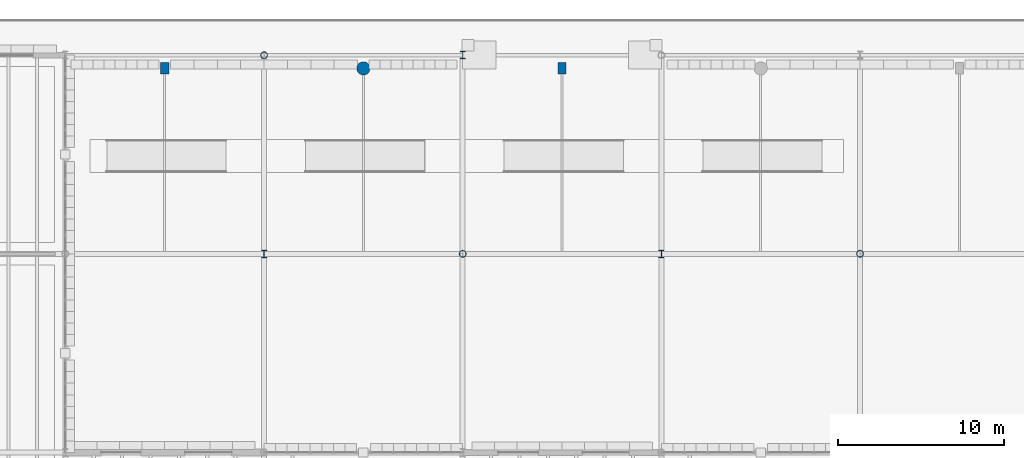
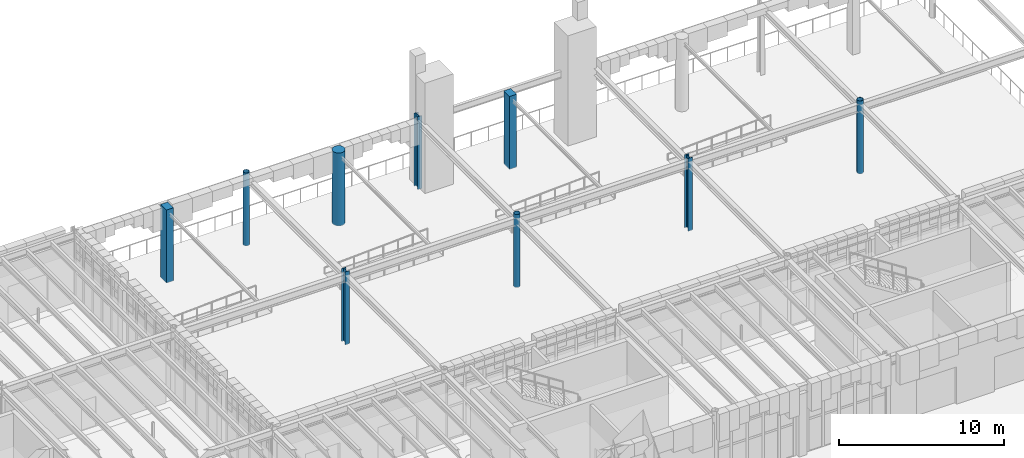
# One storey, part 10 of 103: 9 columns.
"""IFC4 building model written with IfcOpenShell, lengths in metres."""

from ifc_helpers import new_model, si_unit, direction, frame, origin, origin_2d, place, context, subcontext, project, spatial, rectangle, circle, hollow_circle, i_section, extrude, material, material_profile, profile_set, type_object, element, save


model = new_model("IFC4")

# Units and contexts
model_context = context("Model", 3, precision=1e-05, world=origin(), true_north=direction((0.0, 1.0)))
body_context = subcontext(model_context, "Body", "Model", "MODEL_VIEW")
ifc_project = project(units=[si_unit("LENGTHUNIT", "METRE"), si_unit("AREAUNIT", "SQUARE_METRE"), si_unit("VOLUMEUNIT", "CUBIC_METRE"), si_unit("PLANEANGLEUNIT", "RADIAN"), si_unit("MASSUNIT", "GRAM", prefix="KILO")], contexts=[model_context])

# Site, building, storey
site_placement = place(None, origin())
site = spatial("IfcSite", under=ifc_project, at=site_placement, CompositionType="ELEMENT")
building_placement = place(site_placement, origin())
building = spatial("IfcBuilding", under=site, at=building_placement, Name="Zlatogorsky Bluff Art Gallery", CompositionType="ELEMENT")
storey_placement = place(building_placement, origin())
storey = spatial("IfcBuildingStorey", under=building, at=storey_placement, Name="L00", CompositionType="ELEMENT", Elevation=0.0)

# Columns
ifc_material_1 = material(Name="Steel S355", Category="steel")
ifc_material_profile_1 = material_profile(ifc_material_1, i_section(OverallWidth=0.300048828125, OverallDepth=0.449951171875, WebThickness=0.013916015625, FlangeThickness=0.02587890625, FilletRadius=0.027099609375, at=origin_2d()), Name="HEB 450")
ifc_profile_set_1 = profile_set([ifc_material_profile_1], Name="Steel S355")
column_type_1 = type_object("IfcColumnType", Name="Column CL-03 HEB 450", PredefinedType="COLUMN", material=ifc_profile_set_1)
for number, where, z_axis, x_axis, name in (
    (1, (72.0, 108.0, 0.0), (0.0, 0.0, 1.0), (1.0, 0.0, 0.0), "Column CL-03 L00 G11"),
    (2, (84.0, 120.0, 0.0), (0.0, 0.0, 1.0), (1.0, 0.0, 0.0), "Column CL-03 L00 H12"),
    (3, (96.0, 108.0, 0.0), (0.0, 0.0, 1.0), (1.0, 0.0, 0.0), "Column CL-03 L00 J11"),
):
    element("IfcColumn", number, at=place(storey_placement, frame(where, z_axis=z_axis, x_axis=x_axis)), inside=storey, type_object=column_type_1, Name=name, PredefinedType="COLUMN", context=body_context, shape_type="SweptSolid", body=[
        extrude(i_section(OverallWidth=0.300048828125, OverallDepth=0.449951171875, WebThickness=0.013916015625, FlangeThickness=0.02587890625, FilletRadius=0.027099609375, at=origin_2d()), origin(), (0.0, 0.0, 1.0), 5.39990234375),
    ])
ifc_material_profile_2 = material_profile(ifc_material_1, hollow_circle(Radius=0.203125, WallThickness=0.01611328125, at=origin_2d()), Name="CHS 406.4x16")
ifc_profile_set_2 = profile_set([ifc_material_profile_2], Name="Steel S355")
column_type_2 = type_object("IfcColumnType", Name="Column CL-09 CHS 406.4x16", PredefinedType="COLUMN", material=ifc_profile_set_2)
for number, where, z_axis, x_axis, name in (
    (4, (72.0, 120.0, 0.0), (0.0, 0.0, 1.0), (1.0, 0.0, 0.0), "Column CL-09 L00 G12"),
    (5, (84.0, 108.0, 0.0), (0.0, 0.0, 1.0), (1.0, 0.0, 0.0), "Column CL-09 L00 H11"),
    (6, (108.0, 108.0, 0.0), (0.0, 0.0, 1.0), (1.0, 0.0, 0.0), "Column CL-09 L00 K11"),
):
    element("IfcColumn", number, at=place(storey_placement, frame(where, z_axis=z_axis, x_axis=x_axis)), inside=storey, type_object=column_type_2, Name=name, PredefinedType="COLUMN", context=body_context, shape_type="SweptSolid", body=[
        extrude(hollow_circle(Radius=0.203125, WallThickness=0.01611328125, at=origin_2d()), origin(), (0.0, 0.0, 1.0), 5.39990234375),
    ])
ifc_material_2 = material(Name="Concrete C35/45", Category="concrete")
ifc_material_profile_3 = material_profile(ifc_material_2, rectangle(XDim=0.5, YDim=0.699951171875, at=origin_2d()), Name="RC PILASTER 500x700")
ifc_profile_set_3 = profile_set([ifc_material_profile_3], Name="Concrete C35/45")
column_type_3 = type_object("IfcColumnType", Name="Column PL-C1 RC PILASTER 500x700", PredefinedType="PILASTER", material=ifc_profile_set_3)
for number, where, z_axis, x_axis, name in (
    (7, (66.0, 119.199951171875, 0.0), (0.0, 0.0, 1.0), (1.0, 0.0, 0.0), "Forecourt colonnade pilaster PL-C1 1"),
    (8, (90.0, 119.199951171875, 0.0), (0.0, 0.0, 1.0), (1.0, 0.0, 0.0), "Forecourt colonnade pilaster PL-C1 3"),
):
    element("IfcColumn", number, at=place(storey_placement, frame(where, z_axis=z_axis, x_axis=x_axis)), inside=storey, type_object=column_type_3, Name=name, PredefinedType="PILASTER", context=body_context, shape_type="SweptSolid", body=[
        extrude(rectangle(XDim=0.5, YDim=0.699951171875, at=origin_2d()), origin(), (0.0, 0.0, 1.0), 5.39990234375),
    ])
ifc_material_profile_4 = material_profile(ifc_material_2, circle(Radius=0.39990234375, at=origin_2d()), Name="RC D800")
ifc_profile_set_4 = profile_set([ifc_material_profile_4], Name="Concrete C35/45")
column_type_4 = type_object("IfcColumnType", Name="Column PL-C2 RC D800", PredefinedType="PILASTER", material=ifc_profile_set_4)
column_placement = place(storey_placement, frame((78.0, 119.199951171875, 0.0), z_axis=(0.0, 0.0, 1.0), x_axis=(1.0, 0.0, 0.0)))
element("IfcColumn", 9, at=column_placement, inside=storey, type_object=column_type_4, Name="Forecourt colonnade pilaster PL-C2 2", PredefinedType="PILASTER", context=body_context, shape_type="SweptSolid", body=[
    extrude(circle(Radius=0.39990234375, at=origin_2d()), origin(), (0.0, 0.0, 1.0), 5.39990234375),
])

save(model, "model.ifc")
